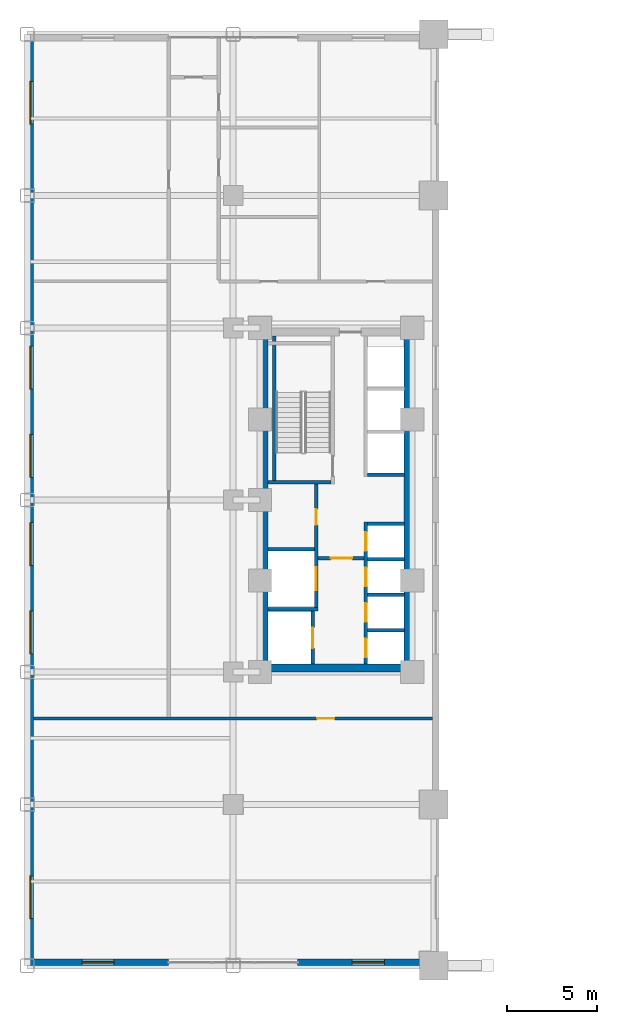
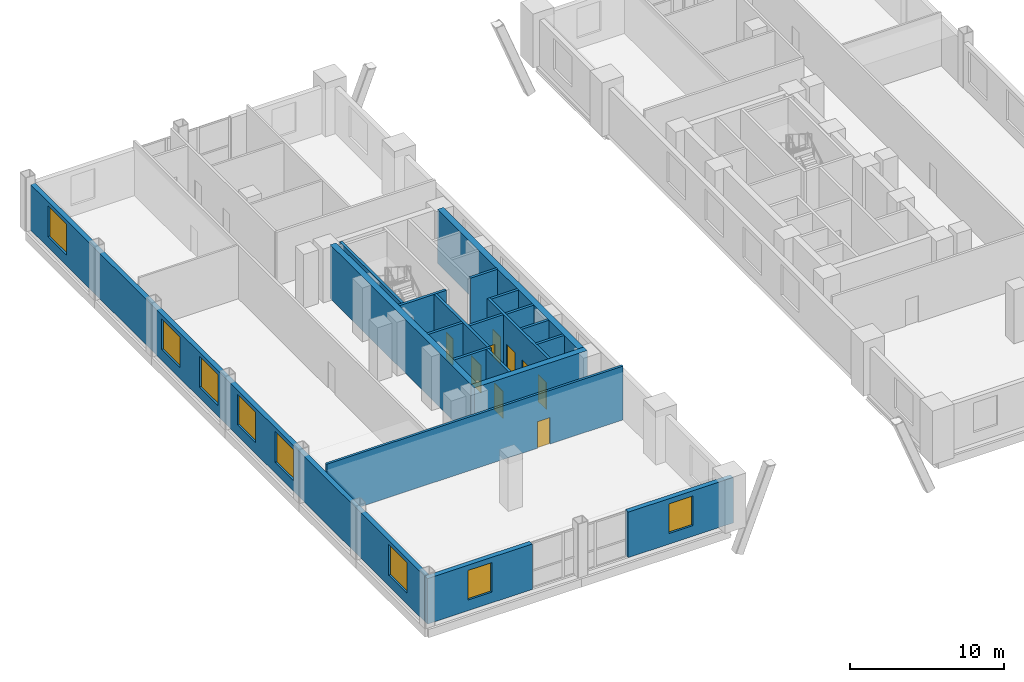
# One storey, part 3 of 15: 20 walls, 9 doors, 8 windows, 17 openings.
"""IFC4 building model written with IfcOpenShell, lengths in metres."""

from ifc_helpers import new_model, si_unit, direction, frame, frame_2d, origin, place, context, subcontext, project, spatial, rectangle, extrude, source, transform, mapped, material, layer, layer_set, type_object, type_shapes, element, fill, save


model = new_model("IFC4")

# Units and contexts
model_context = context("Model", 3, precision=1e-05, world=origin(), true_north=direction((0.0, 1.0)))
body_context = subcontext(model_context, "Body", "Model", "MODEL_VIEW")
ifc_project = project(units=[si_unit("LENGTHUNIT", "METRE"), si_unit("AREAUNIT", "SQUARE_METRE"), si_unit("VOLUMEUNIT", "CUBIC_METRE"), si_unit("PLANEANGLEUNIT", "RADIAN"), si_unit("MASSUNIT", "GRAM", prefix="KILO")], contexts=[model_context])

# Site, building, storey
site_placement = place(None, origin())
site = spatial("IfcSite", under=ifc_project, at=site_placement, CompositionType="ELEMENT")
building_placement = place(site_placement, origin())
building = spatial("IfcBuilding", under=site, at=building_placement, Name="Nuvemarco Arch Tower", CompositionType="ELEMENT")
storey_placement = place(building_placement, frame((0.0, 0.0, 9.199951171875)))
storey = spatial("IfcBuildingStorey", under=building, at=storey_placement, Name="L02", CompositionType="ELEMENT", Elevation=9.199951171875)

# Wall, opening, window
ifc_material_1 = material(Name="Precast concrete C45/55", Category="concrete")
ifc_layer_1 = layer(ifc_material_1, 0.360107421875, Name="EW-POD-360")
ifc_layer_set_1 = layer_set([ifc_layer_1], Name="Precast concrete C45/55")
wall_type_1 = type_object("IfcWallType", Name="EW-POD-360", PredefinedType="STANDARD", material=ifc_layer_set_1)
wall_1_placement = place(storey_placement, frame((-30.5, -25.820068359375, 0.0), z_axis=(0.0, 0.0, 1.0), x_axis=(1.0, 0.0, 0.0)))
wall_1 = element("IfcWall", 1, at=wall_1_placement, inside=storey, type_object=wall_type_1, Name="L02 exterior precast pier wall south left", PredefinedType="STANDARD", context=body_context, shape_type="SweptSolid", body=[
    extrude(rectangle(XDim=7.89990234375, YDim=0.360107421875, at=frame_2d((3.949951171875, 0.0))), origin(), (0.0, 0.0, 1.0), 3.614990234375),
])
opening_1_placement = place(wall_1_placement, frame((3.050048828125, 0.0, 0.85009765625)))
opening_1 = element("IfcOpeningElement", 2, at=opening_1_placement, cuts=wall_1, Name="Opening WN-2", PredefinedType="OPENING", context=body_context, shape_type="SweptSolid", body=[
    extrude(rectangle(XDim=1.800048828125, YDim=2.35009765625, at=frame_2d((0.89990234375, 1.175048828125))), frame((0.0, 0.18994140625, 0.0), z_axis=(0.0, -1.0, 0.0), x_axis=(1.0, 0.0, 0.0)), (0.0, 0.0, 1.0), 0.380126953125),
])
ifc_material_2 = material(Name="Insulated solar-control glass", Category="glass")
window_type_1 = type_object("IfcWindowType", Name="WN-POD-1800x2350", PartitioningType="DOUBLE_PANEL_VERTICAL", PredefinedType="WINDOW", material=ifc_material_2)
shared_shape_1 = source(origin(), body_context, "Body", "SweptSolid", [
    extrude(rectangle(XDim=1.800048828125, YDim=2.35009765625, at=frame_2d((0.89990234375, 1.175048828125))), frame((0.0, 0.030029296875, 0.0), z_axis=(0.0, -1.0, 0.0), x_axis=(1.0, 0.0, 0.0)), (0.0, 0.0, 1.0), 0.06005859375),
])
type_shapes(window_type_1, [shared_shape_1])
window_1_placement = place(opening_1_placement, origin())
window_1 = element("IfcWindow", 3, at=window_1_placement, inside=storey, type_object=window_type_1, Name="L02 punched facade window 1", OverallHeight=2.35009765625, OverallWidth=1.800048828125, PartitioningType="SINGLE_PANEL", PredefinedType="WINDOW", context=body_context, shape_type="MappedRepresentation", body=[
    mapped(shared_shape_1, transform((0.0, 0.0, 0.0), scale=1.0)),
])
fill(opening_1, window_1)

wall_2_placement = place(storey_placement, frame((-15.39990234375, -25.820068359375, 0.0), z_axis=(0.0, 0.0, 1.0), x_axis=(1.0, 0.0, 0.0)))
wall_2 = element("IfcWall", 4, at=wall_2_placement, inside=storey, type_object=wall_type_1, Name="L02 exterior precast pier wall south right", PredefinedType="STANDARD", context=body_context, shape_type="SweptSolid", body=[
    extrude(rectangle(XDim=7.89990234375, YDim=0.360107421875, at=frame_2d((3.949951171875, 0.0))), origin(), (0.0, 0.0, 1.0), 3.614990234375),
])
opening_2_placement = place(wall_2_placement, frame((3.050048828125, 0.0, 0.85009765625)))
opening_2 = element("IfcOpeningElement", 5, at=opening_2_placement, cuts=wall_2, Name="Opening WN-2", PredefinedType="OPENING", context=body_context, shape_type="SweptSolid", body=[
    extrude(rectangle(XDim=1.800048828125, YDim=2.35009765625, at=frame_2d((0.89990234375, 1.175048828125))), frame((0.0, 0.18994140625, 0.0), z_axis=(0.0, -1.0, 0.0), x_axis=(1.0, 0.0, 0.0)), (0.0, 0.0, 1.0), 0.380126953125),
])
window_2_placement = place(opening_2_placement, origin())
window_2 = element("IfcWindow", 6, at=window_2_placement, inside=storey, type_object=window_type_1, Name="L02 punched facade window 1", OverallHeight=2.35009765625, OverallWidth=1.800048828125, PartitioningType="SINGLE_PANEL", PredefinedType="WINDOW", context=body_context, shape_type="MappedRepresentation", body=[
    mapped(shared_shape_1, transform((0.0, 0.0, 0.0), scale=1.0)),
])
fill(opening_2, window_2)

# Wall, openings, windows
wall_3_placement = place(storey_placement, frame((-30.320068359375, -25.64404296875, 0.0), z_axis=(0.0, 0.0, 1.0), x_axis=(0.0, 1.0, 0.0)))
wall_3 = element("IfcWall", 7, at=wall_3_placement, inside=storey, type_object=wall_type_1, Name="L02 exterior precast facade wall 4", PredefinedType="STANDARD", context=body_context, shape_type="SweptSolid", body=[
    extrude(rectangle(XDim=51.2880859375, YDim=0.360107421875, at=frame_2d((25.64404296875, 0.0))), origin(), (0.0, 0.0, 1.0), 3.614990234375),
])
opening_3_placement = place(wall_3_placement, frame((2.264404296875, 0.0, 0.85009765625)))
opening_3 = element("IfcOpeningElement", 8, at=opening_3_placement, cuts=wall_3, Name="Opening WN-1", PredefinedType="OPENING", context=body_context, shape_type="SweptSolid", body=[
    extrude(rectangle(XDim=2.39990234375, YDim=2.449951171875, at=frame_2d((1.199951171875, 1.22509765625))), frame((0.0, 0.18994140625, 0.0), z_axis=(0.0, -1.0, 0.0), x_axis=(1.0, 0.0, 0.0)), (0.0, 0.0, 1.0), 0.380126953125),
])
opening_4_placement = place(wall_3_placement, frame((17.05078125, 0.0, 0.85009765625)))
opening_4 = element("IfcOpeningElement", 9, at=opening_4_placement, cuts=wall_3, Name="Opening WN-1", PredefinedType="OPENING", context=body_context, shape_type="SweptSolid", body=[
    extrude(rectangle(XDim=2.39990234375, YDim=2.449951171875, at=frame_2d((1.199951171875, 1.22509765625))), frame((0.0, 0.18994140625, 0.0), z_axis=(0.0, -1.0, 0.0), x_axis=(1.0, 0.0, 0.0)), (0.0, 0.0, 1.0), 0.380126953125),
])
opening_5_placement = place(wall_3_placement, frame((21.9794921875, 0.0, 0.85009765625)))
opening_5 = element("IfcOpeningElement", 10, at=opening_5_placement, cuts=wall_3, Name="Opening WN-1", PredefinedType="OPENING", context=body_context, shape_type="SweptSolid", body=[
    extrude(rectangle(XDim=2.39990234375, YDim=2.449951171875, at=frame_2d((1.199951171875, 1.22509765625))), frame((0.0, 0.18994140625, 0.0), z_axis=(0.0, -1.0, 0.0), x_axis=(1.0, 0.0, 0.0)), (0.0, 0.0, 1.0), 0.380126953125),
])
opening_6_placement = place(wall_3_placement, frame((26.908447265625, 0.0, 0.85009765625)))
opening_6 = element("IfcOpeningElement", 11, at=opening_6_placement, cuts=wall_3, Name="Opening WN-1", PredefinedType="OPENING", context=body_context, shape_type="SweptSolid", body=[
    extrude(rectangle(XDim=2.39990234375, YDim=2.449951171875, at=frame_2d((1.199951171875, 1.22509765625))), frame((0.0, 0.18994140625, 0.0), z_axis=(0.0, -1.0, 0.0), x_axis=(1.0, 0.0, 0.0)), (0.0, 0.0, 1.0), 0.380126953125),
])
opening_7_placement = place(wall_3_placement, frame((31.837158203125, 0.0, 0.85009765625)))
opening_7 = element("IfcOpeningElement", 12, at=opening_7_placement, cuts=wall_3, Name="Opening WN-1", PredefinedType="OPENING", context=body_context, shape_type="SweptSolid", body=[
    extrude(rectangle(XDim=2.39990234375, YDim=2.449951171875, at=frame_2d((1.199951171875, 1.22509765625))), frame((0.0, 0.18994140625, 0.0), z_axis=(0.0, -1.0, 0.0), x_axis=(1.0, 0.0, 0.0)), (0.0, 0.0, 1.0), 0.380126953125),
])
opening_8_placement = place(wall_3_placement, frame((46.62353515625, 0.0, 0.85009765625)))
opening_8 = element("IfcOpeningElement", 13, at=opening_8_placement, cuts=wall_3, Name="Opening WN-1", PredefinedType="OPENING", context=body_context, shape_type="SweptSolid", body=[
    extrude(rectangle(XDim=2.39990234375, YDim=2.449951171875, at=frame_2d((1.199951171875, 1.22509765625))), frame((0.0, 0.18994140625, 0.0), z_axis=(0.0, -1.0, 0.0), x_axis=(1.0, 0.0, 0.0)), (0.0, 0.0, 1.0), 0.380126953125),
])
window_type_2 = type_object("IfcWindowType", Name="WN-POD-2400x2450", PartitioningType="DOUBLE_PANEL_VERTICAL", PredefinedType="WINDOW", material=ifc_material_2)
shared_shape_2 = source(origin(), body_context, "Body", "SweptSolid", [
    extrude(rectangle(XDim=2.39990234375, YDim=2.449951171875, at=frame_2d((1.199951171875, 1.22509765625))), frame((0.0, 0.030029296875, 0.0), z_axis=(0.0, -1.0, 0.0), x_axis=(1.0, 0.0, 0.0)), (0.0, 0.0, 1.0), 0.06005859375),
])
type_shapes(window_type_2, [shared_shape_2])
window_3_placement = place(opening_3_placement, origin())
window_3 = element("IfcWindow", 14, at=window_3_placement, inside=storey, type_object=window_type_2, Name="L02 punched facade window 1", OverallHeight=2.449951171875, OverallWidth=2.39990234375, PartitioningType="SINGLE_PANEL", PredefinedType="WINDOW", context=body_context, shape_type="MappedRepresentation", body=[
    mapped(shared_shape_2, transform((0.0, 0.0, 0.0), scale=1.0)),
])
fill(opening_3, window_3)
window_4_placement = place(opening_4_placement, origin())
window_4 = element("IfcWindow", 15, at=window_4_placement, inside=storey, type_object=window_type_2, Name="L02 punched facade window 4", OverallHeight=2.449951171875, OverallWidth=2.39990234375, PartitioningType="SINGLE_PANEL", PredefinedType="WINDOW", context=body_context, shape_type="MappedRepresentation", body=[
    mapped(shared_shape_2, transform((0.0, 0.0, 0.0), scale=1.0)),
])
fill(opening_4, window_4)
window_5_placement = place(opening_5_placement, origin())
window_5 = element("IfcWindow", 16, at=window_5_placement, inside=storey, type_object=window_type_2, Name="L02 punched facade window 5", OverallHeight=2.449951171875, OverallWidth=2.39990234375, PartitioningType="SINGLE_PANEL", PredefinedType="WINDOW", context=body_context, shape_type="MappedRepresentation", body=[
    mapped(shared_shape_2, transform((0.0, 0.0, 0.0), scale=1.0)),
])
fill(opening_5, window_5)
window_6_placement = place(opening_6_placement, origin())
window_6 = element("IfcWindow", 17, at=window_6_placement, inside=storey, type_object=window_type_2, Name="L02 punched facade window 6", OverallHeight=2.449951171875, OverallWidth=2.39990234375, PartitioningType="SINGLE_PANEL", PredefinedType="WINDOW", context=body_context, shape_type="MappedRepresentation", body=[
    mapped(shared_shape_2, transform((0.0, 0.0, 0.0), scale=1.0)),
])
fill(opening_6, window_6)
window_7_placement = place(opening_7_placement, origin())
window_7 = element("IfcWindow", 18, at=window_7_placement, inside=storey, type_object=window_type_2, Name="L02 punched facade window 7", OverallHeight=2.449951171875, OverallWidth=2.39990234375, PartitioningType="SINGLE_PANEL", PredefinedType="WINDOW", context=body_context, shape_type="MappedRepresentation", body=[
    mapped(shared_shape_2, transform((0.0, 0.0, 0.0), scale=1.0)),
])
fill(opening_7, window_7)
window_8_placement = place(opening_8_placement, origin())
window_8 = element("IfcWindow", 19, at=window_8_placement, inside=storey, type_object=window_type_2, Name="L02 punched facade window 10", OverallHeight=2.449951171875, OverallWidth=2.39990234375, PartitioningType="SINGLE_PANEL", PredefinedType="WINDOW", context=body_context, shape_type="MappedRepresentation", body=[
    mapped(shared_shape_2, transform((0.0, 0.0, 0.0), scale=1.0)),
])
fill(opening_8, window_8)

# Walls
ifc_material_3 = material(Name="Concrete C60/75", Category="concrete")
ifc_layer_2 = layer(ifc_material_3, 0.449951171875, Name="WL-CORE-450")
ifc_layer_set_2 = layer_set([ifc_layer_2], Name="Concrete C60/75")
wall_type_2 = type_object("IfcWallType", Name="WL-CORE-450", PredefinedType="SHEAR", material=ifc_layer_set_2)
wall_4_placement = place(storey_placement, frame((-17.5, -9.375, 0.0), z_axis=(0.0, 0.0, 1.0), x_axis=(1.0, 0.0, 0.0)))
element("IfcWall", 20, at=wall_4_placement, inside=storey, type_object=wall_type_2, Name="L02 W-core shear wall S", PredefinedType="SHEAR", context=body_context, shape_type="SweptSolid", body=[
    extrude(rectangle(XDim=8.5, YDim=0.449951171875, at=frame_2d((4.25, 0.0))), origin(), (0.0, 0.0, 1.0), 4.280029296875),
])
for number, where, z_axis, x_axis, name in (
    (21, (-17.27490234375, -9.155029296875, 0.0), (0.0, 0.0, 1.0), (0.0, 1.0, 0.0), "L02 W-core shear wall W"),
    (22, (-9.22509765625, -9.155029296875, 0.0), (0.0, 0.0, 1.0), (0.0, 1.0, 0.0), "L02 W-core shear wall E"),
):
    element("IfcWall", number, at=place(storey_placement, frame(where, z_axis=z_axis, x_axis=x_axis)), inside=storey, type_object=wall_type_2, Name=name, PredefinedType="SHEAR", context=body_context, shape_type="SweptSolid", body=[
        extrude(rectangle(XDim=18.31005859375, YDim=0.449951171875, at=frame_2d((9.155029296875, 0.0))), origin(), (0.0, 0.0, 1.0), 4.280029296875),
    ])

# Wall, opening, door
ifc_material_4 = material(Name="Fire-rated gypsum drywall partition")
ifc_layer_3 = layer(ifc_material_4, 0.179931640625, Name="WL-CORR-180")
ifc_layer_set_3 = layer_set([ifc_layer_3], Name="Fire-rated gypsum drywall partition")
wall_type_3 = type_object("IfcWallType", Name="WL-CORR-180", PredefinedType="PARTITIONING", material=ifc_layer_set_3)
wall_5_placement = place(storey_placement, frame((-30.139892578125, -12.199951171875, 0.0), z_axis=(0.0, 0.0, 1.0), x_axis=(1.0, 0.0, 0.0)))
wall_5 = element("IfcWall", 23, at=wall_5_placement, inside=storey, type_object=wall_type_3, Name="L02 interior wall IW-L02-001", PredefinedType="PARTITIONING", context=body_context, shape_type="SweptSolid", body=[
    extrude(rectangle(XDim=22.27978515625, YDim=0.179931640625, at=frame_2d((11.139892578125, 0.0))), origin(), (0.0, 0.0, 1.0), 4.27001953125),
])
opening_9_placement = place(wall_5_placement, frame((15.830078125, 0.0, 0.0)))
opening_9 = element("IfcOpeningElement", 24, at=opening_9_placement, cuts=wall_5, Name="Opening FD-5", PredefinedType="OPENING", context=body_context, shape_type="SweptSolid", body=[
    extrude(rectangle(XDim=0.9599609375, YDim=2.10009765625, at=frame_2d((0.47998046875, 1.050048828125))), frame((0.0, 0.099853515625, 0.0), z_axis=(0.0, -1.0, 0.0), x_axis=(1.0, 0.0, 0.0)), (0.0, 0.0, 1.0), 0.199951171875),
])
ifc_material_5 = material(Name="Timber fire door", Category="wood")
door_type_1 = type_object("IfcDoorType", Name="DR-CORR-FD", OperationType="NOTDEFINED", PredefinedType="DOOR", material=ifc_material_5)
shared_shape_3 = source(origin(), body_context, "Body", "SweptSolid", [
    extrude(rectangle(XDim=0.9599609375, YDim=2.10009765625, at=frame_2d((0.47998046875, 1.050048828125))), frame((0.0, 0.02490234375, 0.0), z_axis=(0.0, -1.0, 0.0), x_axis=(1.0, 0.0, 0.0)), (0.0, 0.0, 1.0), 0.050048828125),
])
type_shapes(door_type_1, [shared_shape_3])
door_1_placement = place(opening_9_placement, origin())
door_1 = element("IfcDoor", 25, at=door_1_placement, inside=storey, type_object=door_type_1, Name="L02 door DR-L02-POD_WEXH", OperationType="SINGLE_SWING_LEFT", OverallHeight=2.10009765625, OverallWidth=0.9599609375, PredefinedType="DOOR", context=body_context, shape_type="MappedRepresentation", body=[
    mapped(shared_shape_3, transform((0.0, 0.0, 0.0), scale=1.0)),
])
fill(opening_9, door_1)

# Walls
ifc_material_6 = material(Name="Concrete C50/60", Category="concrete")
ifc_layer_4 = layer(ifc_material_6, 0.199951171875, Name="WL-SHAFT-220")
ifc_layer_set_4 = layer_set([ifc_layer_4], Name="Concrete C50/60")
wall_type_4 = type_object("IfcWallType", Name="WL-SHAFT-220", PredefinedType="SHEAR", material=ifc_layer_set_4)
wall_6_placement = place(storey_placement, frame((-17.054931640625, 1.0, 0.0), z_axis=(0.0, 0.0, 1.0), x_axis=(1.0, 0.0, 0.0)))
element("IfcWall", 26, at=wall_6_placement, inside=storey, type_object=wall_type_4, Name="L02 structural shaft wall SW-L02-W-ST1S", PredefinedType="SHEAR", context=body_context, shape_type="SweptSolid", body=[
    extrude(rectangle(XDim=3.52001953125, YDim=0.199951171875, at=frame_2d((1.760009765625, 0.0))), origin(), (0.0, 0.0, 1.0), 4.280029296875),
])
wall_7_placement = place(storey_placement, frame((-16.699951171875, 1.094970703125, 0.0), z_axis=(0.0, 0.0, 1.0), x_axis=(0.0, 1.0, 0.0)))
element("IfcWall", 27, at=wall_7_placement, inside=storey, type_object=wall_type_4, Name="L02 structural shaft wall SW-L02-W-ST1W", PredefinedType="SHEAR", context=body_context, shape_type="SweptSolid", body=[
    extrude(rectangle(XDim=8.06005859375, YDim=0.199951171875, at=frame_2d((4.030029296875, 0.0))), origin(), (0.0, 0.0, 1.0), 4.280029296875),
])

# Wall, opening, door
wall_8_placement = place(storey_placement, frame((-14.550048828125, -9.155029296875, 0.0), z_axis=(0.0, 0.0, 1.0), x_axis=(0.0, 1.0, 0.0)))
wall_8 = element("IfcWall", 28, at=wall_8_placement, inside=storey, type_object=wall_type_4, Name="L02 structural shaft wall SW-L02-W-SHE", PredefinedType="SHEAR", context=body_context, shape_type="SweptSolid", body=[
    extrude(rectangle(XDim=2.9599609375, YDim=0.199951171875, at=frame_2d((1.47998046875, 0.0))), origin(), (0.0, 0.0, 1.0), 4.280029296875),
])
opening_10_placement = place(wall_8_placement, frame((0.8798828125, 0.0, 0.0)))
opening_10 = element("IfcOpeningElement", 29, at=opening_10_placement, cuts=wall_8, Name="Opening LD-2", PredefinedType="OPENING", context=body_context, shape_type="SweptSolid", body=[
    extrude(rectangle(XDim=1.14990234375, YDim=2.14990234375, at=frame_2d((0.574951171875, 1.074951171875))), frame((0.0, 0.10986328125, 0.0), z_axis=(0.0, -1.0, 0.0), x_axis=(1.0, 0.0, 0.0)), (0.0, 0.0, 1.0), 0.219970703125),
])
ifc_material_7 = material(Name="Stainless steel lift door", Category="steel")
door_type_2 = type_object("IfcDoorType", Name="DR-LIFT-FIRE", OperationType="DOUBLE_DOOR_SLIDING", PredefinedType="DOOR", material=ifc_material_7)
shared_shape_4 = source(origin(), body_context, "Body", "SweptSolid", [
    extrude(rectangle(XDim=1.14990234375, YDim=2.14990234375, at=frame_2d((0.574951171875, 1.074951171875))), frame((0.0, 0.02490234375, 0.0), z_axis=(0.0, -1.0, 0.0), x_axis=(1.0, 0.0, 0.0)), (0.0, 0.0, 1.0), 0.050048828125),
])
type_shapes(door_type_2, [shared_shape_4])
door_2_placement = place(opening_10_placement, origin())
door_2 = element("IfcDoor", 30, at=door_2_placement, inside=storey, type_object=door_type_2, Name="L02 Lift landing sliding door FFL-1", OperationType="DOUBLE_DOOR_SLIDING", OverallHeight=2.14990234375, OverallWidth=1.14990234375, PredefinedType="DOOR", context=body_context, shape_type="MappedRepresentation", body=[
    mapped(shared_shape_4, transform((0.0, 0.0, 0.0), scale=1.0)),
])
fill(opening_10, door_2)

# Wall, openings, doors
wall_9_placement = place(storey_placement, frame((-14.35009765625, -6.199951171875, 0.0), z_axis=(0.0, 0.0, 1.0), x_axis=(0.0, 1.0, 0.0)))
wall_9 = element("IfcWall", 31, at=wall_9_placement, inside=storey, type_object=wall_type_4, Name="L02 structural shaft wall SW-L02-W-SVE", PredefinedType="SHEAR", context=body_context, shape_type="SweptSolid", body=[
    extrude(rectangle(XDim=7.10498046875, YDim=0.199951171875, at=frame_2d((3.552490234375, 0.0))), origin(), (0.0, 0.0, 1.0), 4.280029296875),
])
opening_11_placement = place(wall_9_placement, frame((5.68994140625, 0.0, 0.0), z_axis=(0.0, 0.0, 1.0), x_axis=(-1.0, 0.0, 0.0)))
opening_11 = element("IfcOpeningElement", 32, at=opening_11_placement, cuts=wall_9, Name="Opening FD-4", PredefinedType="OPENING", context=body_context, shape_type="SweptSolid", body=[
    extrude(rectangle(XDim=0.8798828125, YDim=2.10009765625, at=frame_2d((0.43994140625, 1.050048828125))), frame((0.0, 0.10986328125, 0.0), z_axis=(0.0, -1.0, 0.0), x_axis=(1.0, 0.0, 0.0)), (0.0, 0.0, 1.0), 0.219970703125),
])
opening_12_placement = place(wall_9_placement, frame((1.14990234375, 0.0, 0.0)))
opening_12 = element("IfcOpeningElement", 33, at=opening_12_placement, cuts=wall_9, Name="Opening LD-3", PredefinedType="OPENING", context=body_context, shape_type="SweptSolid", body=[
    extrude(rectangle(XDim=1.300048828125, YDim=2.199951171875, at=frame_2d((0.64990234375, 1.10009765625))), frame((0.0, 0.10986328125, 0.0), z_axis=(0.0, -1.0, 0.0), x_axis=(1.0, 0.0, 0.0)), (0.0, 0.0, 1.0), 0.219970703125),
])
ifc_material_8 = material(Name="Anodised steel fire door", Category="steel")
door_type_3 = type_object("IfcDoorType", Name="DR-RISER-FD", OperationType="NOTDEFINED", PredefinedType="DOOR", material=ifc_material_8)
shared_shape_5 = source(origin(), body_context, "Body", "SweptSolid", [
    extrude(rectangle(XDim=0.8798828125, YDim=2.10009765625, at=frame_2d((0.43994140625, 1.050048828125))), frame((0.0, 0.02490234375, 0.0), z_axis=(0.0, -1.0, 0.0), x_axis=(1.0, 0.0, 0.0)), (0.0, 0.0, 1.0), 0.050048828125),
])
type_shapes(door_type_3, [shared_shape_5])
door_3_placement = place(opening_11_placement, origin())
door_3 = element("IfcDoor", 34, at=door_3_placement, inside=storey, type_object=door_type_3, Name="L02 door FD-L02-WRIS", OperationType="SINGLE_SWING_LEFT", OverallHeight=2.10009765625, OverallWidth=0.8798828125, PredefinedType="DOOR", context=body_context, shape_type="MappedRepresentation", body=[
    mapped(shared_shape_5, transform((0.0, 0.0, 0.0), scale=1.0)),
])
fill(opening_11, door_3)
door_type_4 = type_object("IfcDoorType", Name="DR-LIFT-SERV", OperationType="DOUBLE_DOOR_SLIDING", PredefinedType="DOOR", material=ifc_material_7)
shared_shape_6 = source(origin(), body_context, "Body", "SweptSolid", [
    extrude(rectangle(XDim=1.300048828125, YDim=2.199951171875, at=frame_2d((0.64990234375, 1.10009765625))), frame((0.0, 0.02490234375, 0.0), z_axis=(0.0, -1.0, 0.0), x_axis=(1.0, 0.0, 0.0)), (0.0, 0.0, 1.0), 0.050048828125),
])
type_shapes(door_type_4, [shared_shape_6])
door_4_placement = place(opening_12_placement, origin())
door_4 = element("IfcDoor", 35, at=door_4_placement, inside=storey, type_object=door_type_4, Name="L02 Lift landing sliding door SVL-1", OperationType="DOUBLE_DOOR_SLIDING", OverallHeight=2.199951171875, OverallWidth=1.300048828125, PredefinedType="DOOR", context=body_context, shape_type="MappedRepresentation", body=[
    mapped(shared_shape_6, transform((0.0, 0.0, 0.0), scale=1.0)),
])
fill(opening_12, door_4)

# Walls
wall_10_placement = place(storey_placement, frame((-17.054931640625, -6.10009765625, 0.0), z_axis=(0.0, 0.0, 1.0), x_axis=(1.0, 0.0, 0.0)))
element("IfcWall", 36, at=wall_10_placement, inside=storey, type_object=wall_type_4, Name="L02 structural shaft wall SW-L02-W-SH1", PredefinedType="SHEAR", context=body_context, shape_type="SweptSolid", body=[
    extrude(rectangle(XDim=2.804931640625, YDim=0.199951171875, at=frame_2d((1.40234375, 0.0))), origin(), (0.0, 0.0, 1.0), 4.280029296875),
])
wall_11_placement = place(storey_placement, frame((-17.054931640625, -2.75, 0.0), z_axis=(0.0, 0.0, 1.0), x_axis=(1.0, 0.0, 0.0)))
element("IfcWall", 37, at=wall_11_placement, inside=storey, type_object=wall_type_4, Name="L02 structural shaft wall SW-L02-W-SH2", PredefinedType="SHEAR", context=body_context, shape_type="SweptSolid", body=[
    extrude(rectangle(XDim=2.60986328125, YDim=0.199951171875, at=frame_2d((1.304931640625, 0.0))), origin(), (0.0, 0.0, 1.0), 4.280029296875),
])

# Wall, openings, doors
wall_12_placement = place(storey_placement, frame((-11.60009765625, -9.155029296875, 0.0), z_axis=(0.0, 0.0, 1.0), x_axis=(0.0, 1.0, 0.0)))
wall_12 = element("IfcWall", 38, at=wall_12_placement, inside=storey, type_object=wall_type_4, Name="L02 structural shaft wall SW-L02-W-PLW", PredefinedType="SHEAR", context=body_context, shape_type="SweptSolid", body=[
    extrude(rectangle(XDim=7.925048828125, YDim=0.199951171875, at=frame_2d((3.96240234375, 0.0))), origin(), (0.0, 0.0, 1.0), 4.280029296875),
])
opening_13_placement = place(wall_12_placement, frame((0.3701171875, 0.0, 0.0)))
opening_13 = element("IfcOpeningElement", 39, at=opening_13_placement, cuts=wall_12, Name="Opening LD-1", PredefinedType="OPENING", context=body_context, shape_type="SweptSolid", body=[
    extrude(rectangle(XDim=1.050048828125, YDim=2.14990234375, at=frame_2d((0.52490234375, 1.074951171875))), frame((0.0, 0.10986328125, 0.0), z_axis=(0.0, -1.0, 0.0), x_axis=(1.0, 0.0, 0.0)), (0.0, 0.0, 1.0), 0.219970703125),
])
opening_14_placement = place(wall_12_placement, frame((2.35009765625, 0.0, 0.0)))
opening_14 = element("IfcOpeningElement", 40, at=opening_14_placement, cuts=wall_12, Name="Opening LD-1", PredefinedType="OPENING", context=body_context, shape_type="SweptSolid", body=[
    extrude(rectangle(XDim=1.050048828125, YDim=2.14990234375, at=frame_2d((0.52490234375, 1.074951171875))), frame((0.0, 0.10986328125, 0.0), z_axis=(0.0, -1.0, 0.0), x_axis=(1.0, 0.0, 0.0)), (0.0, 0.0, 1.0), 0.219970703125),
])
opening_15_placement = place(wall_12_placement, frame((4.330078125, 0.0, 0.0)))
opening_15 = element("IfcOpeningElement", 41, at=opening_15_placement, cuts=wall_12, Name="Opening LD-1", PredefinedType="OPENING", context=body_context, shape_type="SweptSolid", body=[
    extrude(rectangle(XDim=1.050048828125, YDim=2.14990234375, at=frame_2d((0.52490234375, 1.074951171875))), frame((0.0, 0.10986328125, 0.0), z_axis=(0.0, -1.0, 0.0), x_axis=(1.0, 0.0, 0.0)), (0.0, 0.0, 1.0), 0.219970703125),
])
opening_16_placement = place(wall_12_placement, frame((6.31005859375, 0.0, 0.0)))
opening_16 = element("IfcOpeningElement", 42, at=opening_16_placement, cuts=wall_12, Name="Opening LD-1", PredefinedType="OPENING", context=body_context, shape_type="SweptSolid", body=[
    extrude(rectangle(XDim=1.050048828125, YDim=2.14990234375, at=frame_2d((0.52490234375, 1.074951171875))), frame((0.0, 0.10986328125, 0.0), z_axis=(0.0, -1.0, 0.0), x_axis=(1.0, 0.0, 0.0)), (0.0, 0.0, 1.0), 0.219970703125),
])
door_type_5 = type_object("IfcDoorType", Name="DR-LIFT-PASS", OperationType="DOUBLE_DOOR_SLIDING", PredefinedType="DOOR", material=ifc_material_7)
shared_shape_7 = source(origin(), body_context, "Body", "SweptSolid", [
    extrude(rectangle(XDim=1.050048828125, YDim=2.14990234375, at=frame_2d((0.52490234375, 1.074951171875))), frame((0.0, 0.02490234375, 0.0), z_axis=(0.0, -1.0, 0.0), x_axis=(1.0, 0.0, 0.0)), (0.0, 0.0, 1.0), 0.050048828125),
])
type_shapes(door_type_5, [shared_shape_7])
door_5_placement = place(opening_13_placement, origin())
door_5 = element("IfcDoor", 43, at=door_5_placement, inside=storey, type_object=door_type_5, Name="L02 Lift landing sliding door PL-1", OperationType="DOUBLE_DOOR_SLIDING", OverallHeight=2.14990234375, OverallWidth=1.050048828125, PredefinedType="DOOR", context=body_context, shape_type="MappedRepresentation", body=[
    mapped(shared_shape_7, transform((0.0, 0.0, 0.0), scale=1.0)),
])
fill(opening_13, door_5)
door_6_placement = place(opening_14_placement, origin())
door_6 = element("IfcDoor", 44, at=door_6_placement, inside=storey, type_object=door_type_5, Name="L02 Lift landing sliding door PL-2", OperationType="DOUBLE_DOOR_SLIDING", OverallHeight=2.14990234375, OverallWidth=1.050048828125, PredefinedType="DOOR", context=body_context, shape_type="MappedRepresentation", body=[
    mapped(shared_shape_7, transform((0.0, 0.0, 0.0), scale=1.0)),
])
fill(opening_14, door_6)
door_7_placement = place(opening_15_placement, origin())
door_7 = element("IfcDoor", 45, at=door_7_placement, inside=storey, type_object=door_type_5, Name="L02 Lift landing sliding door PL-3", OperationType="DOUBLE_DOOR_SLIDING", OverallHeight=2.14990234375, OverallWidth=1.050048828125, PredefinedType="DOOR", context=body_context, shape_type="MappedRepresentation", body=[
    mapped(shared_shape_7, transform((0.0, 0.0, 0.0), scale=1.0)),
])
fill(opening_15, door_7)
door_8_placement = place(opening_16_placement, origin())
door_8 = element("IfcDoor", 46, at=door_8_placement, inside=storey, type_object=door_type_5, Name="L02 Lift landing sliding door PL-4", OperationType="DOUBLE_DOOR_SLIDING", OverallHeight=2.14990234375, OverallWidth=1.050048828125, PredefinedType="DOOR", context=body_context, shape_type="MappedRepresentation", body=[
    mapped(shared_shape_7, transform((0.0, 0.0, 0.0), scale=1.0)),
])
fill(opening_16, door_8)

# Wall, opening, door
wall_13_placement = place(storey_placement, frame((-14.2548828125, -3.25, 0.0), z_axis=(0.0, 0.0, 1.0), x_axis=(1.0, 0.0, 0.0)))
wall_13 = element("IfcWall", 47, at=wall_13_placement, inside=storey, type_object=wall_type_4, Name="L02 structural shaft wall SW-L02-W-FFN", PredefinedType="SHEAR", context=body_context, shape_type="SweptSolid", body=[
    extrude(rectangle(XDim=2.559814453125, YDim=0.199951171875, at=frame_2d((1.27978515625, 0.0))), origin(), (0.0, 0.0, 1.0), 4.280029296875),
])
opening_17_placement = place(wall_13_placement, frame((0.705078125, 0.0, 0.0)))
opening_17 = element("IfcOpeningElement", 48, at=opening_17_placement, cuts=wall_13, Name="Opening FD-2", PredefinedType="OPENING", context=body_context, shape_type="SweptSolid", body=[
    extrude(rectangle(XDim=1.199951171875, YDim=2.14990234375, at=frame_2d((0.60009765625, 1.074951171875))), frame((0.0, 0.10986328125, 0.0), z_axis=(0.0, -1.0, 0.0), x_axis=(1.0, 0.0, 0.0)), (0.0, 0.0, 1.0), 0.219970703125),
])
door_type_6 = type_object("IfcDoorType", Name="DR-FFLOB-FD", OperationType="NOTDEFINED", PredefinedType="DOOR", material=ifc_material_8)
shared_shape_8 = source(origin(), body_context, "Body", "SweptSolid", [
    extrude(rectangle(XDim=1.199951171875, YDim=2.14990234375, at=frame_2d((0.60009765625, 1.074951171875))), frame((0.0, 0.02490234375, 0.0), z_axis=(0.0, -1.0, 0.0), x_axis=(1.0, 0.0, 0.0)), (0.0, 0.0, 1.0), 0.050048828125),
])
type_shapes(door_type_6, [shared_shape_8])
door_9_placement = place(opening_17_placement, origin())
door_9 = element("IfcDoor", 49, at=door_9_placement, inside=storey, type_object=door_type_6, Name="L02 door FD-L02-WFF1", OperationType="SINGLE_SWING_LEFT", OverallHeight=2.14990234375, OverallWidth=1.199951171875, PredefinedType="DOOR", context=body_context, shape_type="MappedRepresentation", body=[
    mapped(shared_shape_8, transform((0.0, 0.0, 0.0), scale=1.0)),
])
fill(opening_17, door_9)

# Walls
for number, where, z_axis, x_axis, name in (
    (50, (-11.5048828125, -7.27001953125, 0.0), (0.0, 0.0, 1.0), (1.0, 0.0, 0.0), "L02 structural shaft wall SW-L02-W-PLD1"),
    (51, (-11.5048828125, -5.2900390625, 0.0), (0.0, 0.0, 1.0), (1.0, 0.0, 0.0), "L02 structural shaft wall SW-L02-W-PLD2"),
    (52, (-11.5048828125, -3.31005859375, 0.0), (0.0, 0.0, 1.0), (1.0, 0.0, 0.0), "L02 structural shaft wall SW-L02-W-PLD3"),
    (53, (-11.5048828125, -1.330078125, 0.0), (0.0, 0.0, 1.0), (1.0, 0.0, 0.0), "L02 structural shaft wall SW-L02-W-PLD4"),
    (54, (-11.5048828125, 1.39990234375, 0.0), (0.0, 0.0, 1.0), (1.0, 0.0, 0.0), "L02 structural shaft wall SW-L02-W-PHD1"),
):
    element("IfcWall", number, at=place(storey_placement, frame(where, z_axis=z_axis, x_axis=x_axis)), inside=storey, type_object=wall_type_4, Name=name, PredefinedType="SHEAR", context=body_context, shape_type="SweptSolid", body=[
        extrude(rectangle(XDim=2.059814453125, YDim=0.199951171875, at=frame_2d((1.02978515625, 0.0))), origin(), (0.0, 0.0, 1.0), 4.280029296875),
    ])

save(model, "model.ifc")
